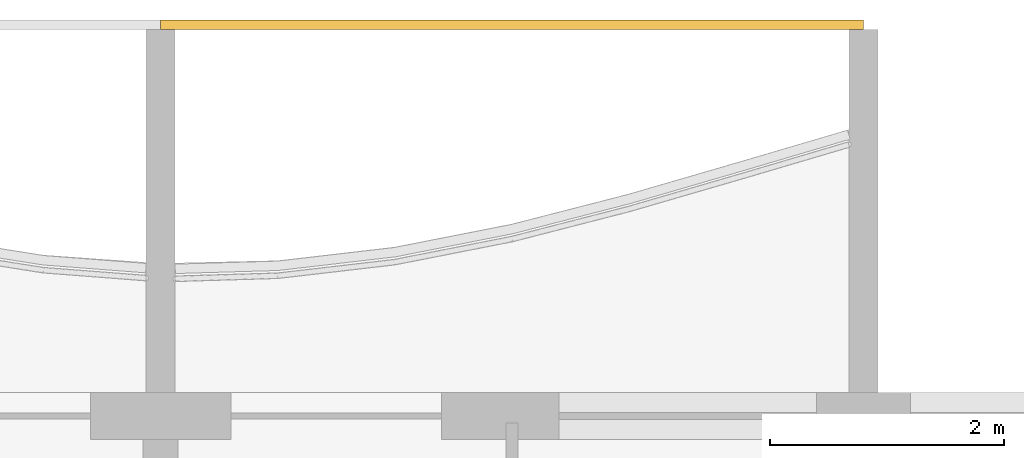
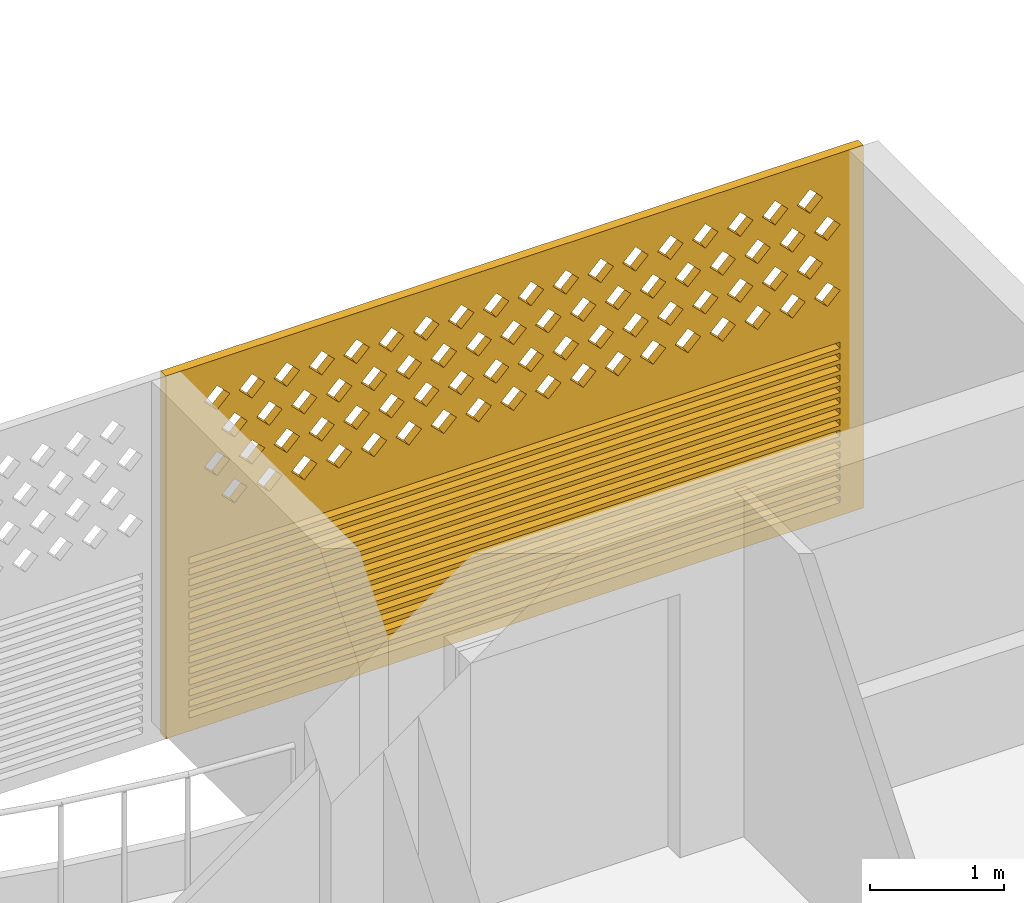
# One storey, part 25 of 33: 1 covering.
"""IFC4 building model written with IfcOpenShell, lengths in metres."""

from ifc_helpers import new_model, si_unit, direction, frame, origin, place, context, subcontext, project, spatial, polyline, outline, extrude, source, transform, mapped, material, material_profile, profile_set, type_object, element, save


model = new_model("IFC4")

# Units and contexts
model_context = context("Model", 3, precision=1e-05, world=origin(), true_north=direction((0.0, 1.0)))
body_context = subcontext(model_context, "Body", "Model", "MODEL_VIEW")
ifc_project = project(units=[si_unit("LENGTHUNIT", "METRE"), si_unit("AREAUNIT", "SQUARE_METRE"), si_unit("VOLUMEUNIT", "CUBIC_METRE"), si_unit("PLANEANGLEUNIT", "RADIAN"), si_unit("MASSUNIT", "GRAM", prefix="KILO")], contexts=[model_context])

# Site, building, storey
site_placement = place(None, origin())
site = spatial("IfcSite", under=ifc_project, at=site_placement, CompositionType="ELEMENT")
building_placement = place(site_placement, origin())
building = spatial("IfcBuilding", under=site, at=building_placement, Name="Poui Terraces", CompositionType="ELEMENT")
storey_placement = place(building_placement, frame((0.0, 0.0, 132.300048828125)))
storey = spatial("IfcBuildingStorey", under=building, at=storey_placement, Name="L36", CompositionType="ELEMENT", Elevation=132.300048828125)

# Covering
ifc_material = material(Name="Terracotta screen", Category="masonry")
ifc_material_profile = material_profile(ifc_material, outline(polyline([(-3.0, -1.64990234375), (3.0, -1.64990234375), (3.0, 1.64990234375), (-3.0, 1.64990234375), (-3.0, -1.64990234375)]), holes=[polyline([(-2.800048828125, 0.39990234375), (-2.68994140625, 0.2900390625), (-2.580078125, 0.39990234375), (-2.68994140625, 0.510009765625), (-2.800048828125, 0.39990234375)]), polyline([(-2.5, 0.39990234375), (-2.389892578125, 0.2900390625), (-2.280029296875, 0.39990234375), (-2.389892578125, 0.510009765625), (-2.5, 0.39990234375)]), polyline([(-2.199951171875, 0.39990234375), (-2.090087890625, 0.2900390625), (-1.97998046875, 0.39990234375), (-2.090087890625, 0.510009765625), (-2.199951171875, 0.39990234375)]), polyline([(-1.89990234375, 0.39990234375), (-1.7900390625, 0.2900390625), (-1.679931640625, 0.39990234375), (-1.7900390625, 0.510009765625), (-1.89990234375, 0.39990234375)]), polyline([(-1.60009765625, 0.39990234375), (-1.489990234375, 0.2900390625), (-1.3798828125, 0.39990234375), (-1.489990234375, 0.510009765625), (-1.60009765625, 0.39990234375)]), polyline([(-1.300048828125, 0.39990234375), (-1.18994140625, 0.2900390625), (-1.080078125, 0.39990234375), (-1.18994140625, 0.510009765625), (-1.300048828125, 0.39990234375)]), polyline([(-1.0, 0.39990234375), (-0.889892578125, 0.2900390625), (-0.780029296875, 0.39990234375), (-0.889892578125, 0.510009765625), (-1.0, 0.39990234375)]), polyline([(-0.699951171875, 0.39990234375), (-0.590087890625, 0.2900390625), (-0.47998046875, 0.39990234375), (-0.590087890625, 0.510009765625), (-0.699951171875, 0.39990234375)]), polyline([(-0.39990234375, 0.39990234375), (-0.2900390625, 0.2900390625), (-0.179931640625, 0.39990234375), (-0.2900390625, 0.510009765625), (-0.39990234375, 0.39990234375)]), polyline([(-0.10009765625, 0.39990234375), (0.010009765625, 0.2900390625), (0.1201171875, 0.39990234375), (0.010009765625, 0.510009765625), (-0.10009765625, 0.39990234375)]), polyline([(0.199951171875, 0.39990234375), (0.31005859375, 0.2900390625), (0.419921875, 0.39990234375), (0.31005859375, 0.510009765625), (0.199951171875, 0.39990234375)]), polyline([(0.5, 0.39990234375), (0.610107421875, 0.2900390625), (0.719970703125, 0.39990234375), (0.610107421875, 0.510009765625), (0.5, 0.39990234375)]), polyline([(0.800048828125, 0.39990234375), (0.909912109375, 0.2900390625), (1.02001953125, 0.39990234375), (0.909912109375, 0.510009765625), (0.800048828125, 0.39990234375)]), polyline([(1.10009765625, 0.39990234375), (1.2099609375, 0.2900390625), (1.320068359375, 0.39990234375), (1.2099609375, 0.510009765625), (1.10009765625, 0.39990234375)]), polyline([(1.39990234375, 0.39990234375), (1.510009765625, 0.2900390625), (1.6201171875, 0.39990234375), (1.510009765625, 0.510009765625), (1.39990234375, 0.39990234375)]), polyline([(1.699951171875, 0.39990234375), (1.81005859375, 0.2900390625), (1.919921875, 0.39990234375), (1.81005859375, 0.510009765625), (1.699951171875, 0.39990234375)]), polyline([(2.0, 0.39990234375), (2.110107421875, 0.2900390625), (2.219970703125, 0.39990234375), (2.110107421875, 0.510009765625), (2.0, 0.39990234375)]), polyline([(2.300048828125, 0.39990234375), (2.409912109375, 0.2900390625), (2.52001953125, 0.39990234375), (2.409912109375, 0.510009765625), (2.300048828125, 0.39990234375)]), polyline([(-2.64990234375, 0.699951171875), (-2.5400390625, 0.590087890625), (-2.429931640625, 0.699951171875), (-2.5400390625, 0.81005859375), (-2.64990234375, 0.699951171875)]), polyline([(-2.35009765625, 0.699951171875), (-2.239990234375, 0.590087890625), (-2.1298828125, 0.699951171875), (-2.239990234375, 0.81005859375), (-2.35009765625, 0.699951171875)]), polyline([(-2.050048828125, 0.699951171875), (-1.93994140625, 0.590087890625), (-1.830078125, 0.699951171875), (-1.93994140625, 0.81005859375), (-2.050048828125, 0.699951171875)]), polyline([(-1.75, 0.699951171875), (-1.639892578125, 0.590087890625), (-1.530029296875, 0.699951171875), (-1.639892578125, 0.81005859375), (-1.75, 0.699951171875)]), polyline([(-1.449951171875, 0.699951171875), (-1.340087890625, 0.590087890625), (-1.22998046875, 0.699951171875), (-1.340087890625, 0.81005859375), (-1.449951171875, 0.699951171875)]), polyline([(-1.14990234375, 0.699951171875), (-1.0400390625, 0.590087890625), (-0.929931640625, 0.699951171875), (-1.0400390625, 0.81005859375), (-1.14990234375, 0.699951171875)]), polyline([(-0.85009765625, 0.699951171875), (-0.739990234375, 0.590087890625), (-0.6298828125, 0.699951171875), (-0.739990234375, 0.81005859375), (-0.85009765625, 0.699951171875)]), polyline([(-0.550048828125, 0.699951171875), (-0.43994140625, 0.590087890625), (-0.330078125, 0.699951171875), (-0.43994140625, 0.81005859375), (-0.550048828125, 0.699951171875)]), polyline([(-0.25, 0.699951171875), (-0.139892578125, 0.590087890625), (-0.030029296875, 0.699951171875), (-0.139892578125, 0.81005859375), (-0.25, 0.699951171875)]), polyline([(0.050048828125, 0.699951171875), (0.159912109375, 0.590087890625), (0.27001953125, 0.699951171875), (0.159912109375, 0.81005859375), (0.050048828125, 0.699951171875)]), polyline([(0.35009765625, 0.699951171875), (0.4599609375, 0.590087890625), (0.570068359375, 0.699951171875), (0.4599609375, 0.81005859375), (0.35009765625, 0.699951171875)]), polyline([(0.64990234375, 0.699951171875), (0.760009765625, 0.590087890625), (0.8701171875, 0.699951171875), (0.760009765625, 0.81005859375), (0.64990234375, 0.699951171875)]), polyline([(0.949951171875, 0.699951171875), (1.06005859375, 0.590087890625), (1.169921875, 0.699951171875), (1.06005859375, 0.81005859375), (0.949951171875, 0.699951171875)]), polyline([(1.25, 0.699951171875), (1.360107421875, 0.590087890625), (1.469970703125, 0.699951171875), (1.360107421875, 0.81005859375), (1.25, 0.699951171875)]), polyline([(1.550048828125, 0.699951171875), (1.659912109375, 0.590087890625), (1.77001953125, 0.699951171875), (1.659912109375, 0.81005859375), (1.550048828125, 0.699951171875)]), polyline([(1.85009765625, 0.699951171875), (1.9599609375, 0.590087890625), (2.070068359375, 0.699951171875), (1.9599609375, 0.81005859375), (1.85009765625, 0.699951171875)]), polyline([(2.14990234375, 0.699951171875), (2.260009765625, 0.590087890625), (2.3701171875, 0.699951171875), (2.260009765625, 0.81005859375), (2.14990234375, 0.699951171875)]), polyline([(2.449951171875, 0.699951171875), (2.56005859375, 0.590087890625), (2.669921875, 0.699951171875), (2.56005859375, 0.81005859375), (2.449951171875, 0.699951171875)]), polyline([(-2.800048828125, 1.0), (-2.68994140625, 0.889892578125), (-2.580078125, 1.0), (-2.68994140625, 1.110107421875), (-2.800048828125, 1.0)]), polyline([(-2.5, 1.0), (-2.389892578125, 0.889892578125), (-2.280029296875, 1.0), (-2.389892578125, 1.110107421875), (-2.5, 1.0)]), polyline([(-2.199951171875, 1.0), (-2.090087890625, 0.889892578125), (-1.97998046875, 1.0), (-2.090087890625, 1.110107421875), (-2.199951171875, 1.0)]), polyline([(-1.89990234375, 1.0), (-1.7900390625, 0.889892578125), (-1.679931640625, 1.0), (-1.7900390625, 1.110107421875), (-1.89990234375, 1.0)]), polyline([(-1.60009765625, 1.0), (-1.489990234375, 0.889892578125), (-1.3798828125, 1.0), (-1.489990234375, 1.110107421875), (-1.60009765625, 1.0)]), polyline([(-1.300048828125, 1.0), (-1.18994140625, 0.889892578125), (-1.080078125, 1.0), (-1.18994140625, 1.110107421875), (-1.300048828125, 1.0)]), polyline([(-1.0, 1.0), (-0.889892578125, 0.889892578125), (-0.780029296875, 1.0), (-0.889892578125, 1.110107421875), (-1.0, 1.0)]), polyline([(-0.699951171875, 1.0), (-0.590087890625, 0.889892578125), (-0.47998046875, 1.0), (-0.590087890625, 1.110107421875), (-0.699951171875, 1.0)]), polyline([(-0.39990234375, 1.0), (-0.2900390625, 0.889892578125), (-0.179931640625, 1.0), (-0.2900390625, 1.110107421875), (-0.39990234375, 1.0)]), polyline([(-0.10009765625, 1.0), (0.010009765625, 0.889892578125), (0.1201171875, 1.0), (0.010009765625, 1.110107421875), (-0.10009765625, 1.0)]), polyline([(0.199951171875, 1.0), (0.31005859375, 0.889892578125), (0.419921875, 1.0), (0.31005859375, 1.110107421875), (0.199951171875, 1.0)]), polyline([(0.5, 1.0), (0.610107421875, 0.889892578125), (0.719970703125, 1.0), (0.610107421875, 1.110107421875), (0.5, 1.0)]), polyline([(0.800048828125, 1.0), (0.909912109375, 0.889892578125), (1.02001953125, 1.0), (0.909912109375, 1.110107421875), (0.800048828125, 1.0)]), polyline([(1.10009765625, 1.0), (1.2099609375, 0.889892578125), (1.320068359375, 1.0), (1.2099609375, 1.110107421875), (1.10009765625, 1.0)]), polyline([(1.39990234375, 1.0), (1.510009765625, 0.889892578125), (1.6201171875, 1.0), (1.510009765625, 1.110107421875), (1.39990234375, 1.0)]), polyline([(1.699951171875, 1.0), (1.81005859375, 0.889892578125), (1.919921875, 1.0), (1.81005859375, 1.110107421875), (1.699951171875, 1.0)]), polyline([(2.0, 1.0), (2.110107421875, 0.889892578125), (2.219970703125, 1.0), (2.110107421875, 1.110107421875), (2.0, 1.0)]), polyline([(2.300048828125, 1.0), (2.409912109375, 0.889892578125), (2.52001953125, 1.0), (2.409912109375, 1.110107421875), (2.300048828125, 1.0)]), polyline([(-2.64990234375, 1.300048828125), (-2.5400390625, 1.18994140625), (-2.429931640625, 1.300048828125), (-2.5400390625, 1.409912109375), (-2.64990234375, 1.300048828125)]), polyline([(-2.35009765625, 1.300048828125), (-2.239990234375, 1.18994140625), (-2.1298828125, 1.300048828125), (-2.239990234375, 1.409912109375), (-2.35009765625, 1.300048828125)]), polyline([(-2.050048828125, 1.300048828125), (-1.93994140625, 1.18994140625), (-1.830078125, 1.300048828125), (-1.93994140625, 1.409912109375), (-2.050048828125, 1.300048828125)]), polyline([(-1.75, 1.300048828125), (-1.639892578125, 1.18994140625), (-1.530029296875, 1.300048828125), (-1.639892578125, 1.409912109375), (-1.75, 1.300048828125)]), polyline([(-1.449951171875, 1.300048828125), (-1.340087890625, 1.18994140625), (-1.22998046875, 1.300048828125), (-1.340087890625, 1.409912109375), (-1.449951171875, 1.300048828125)]), polyline([(-1.14990234375, 1.300048828125), (-1.0400390625, 1.18994140625), (-0.929931640625, 1.300048828125), (-1.0400390625, 1.409912109375), (-1.14990234375, 1.300048828125)]), polyline([(-0.85009765625, 1.300048828125), (-0.739990234375, 1.18994140625), (-0.6298828125, 1.300048828125), (-0.739990234375, 1.409912109375), (-0.85009765625, 1.300048828125)]), polyline([(-0.550048828125, 1.300048828125), (-0.43994140625, 1.18994140625), (-0.330078125, 1.300048828125), (-0.43994140625, 1.409912109375), (-0.550048828125, 1.300048828125)]), polyline([(-0.25, 1.300048828125), (-0.139892578125, 1.18994140625), (-0.030029296875, 1.300048828125), (-0.139892578125, 1.409912109375), (-0.25, 1.300048828125)]), polyline([(0.050048828125, 1.300048828125), (0.159912109375, 1.18994140625), (0.27001953125, 1.300048828125), (0.159912109375, 1.409912109375), (0.050048828125, 1.300048828125)]), polyline([(0.35009765625, 1.300048828125), (0.4599609375, 1.18994140625), (0.570068359375, 1.300048828125), (0.4599609375, 1.409912109375), (0.35009765625, 1.300048828125)]), polyline([(0.64990234375, 1.300048828125), (0.760009765625, 1.18994140625), (0.8701171875, 1.300048828125), (0.760009765625, 1.409912109375), (0.64990234375, 1.300048828125)]), polyline([(0.949951171875, 1.300048828125), (1.06005859375, 1.18994140625), (1.169921875, 1.300048828125), (1.06005859375, 1.409912109375), (0.949951171875, 1.300048828125)]), polyline([(1.25, 1.300048828125), (1.360107421875, 1.18994140625), (1.469970703125, 1.300048828125), (1.360107421875, 1.409912109375), (1.25, 1.300048828125)]), polyline([(1.550048828125, 1.300048828125), (1.659912109375, 1.18994140625), (1.77001953125, 1.300048828125), (1.659912109375, 1.409912109375), (1.550048828125, 1.300048828125)]), polyline([(1.85009765625, 1.300048828125), (1.9599609375, 1.18994140625), (2.070068359375, 1.300048828125), (1.9599609375, 1.409912109375), (1.85009765625, 1.300048828125)]), polyline([(2.14990234375, 1.300048828125), (2.260009765625, 1.18994140625), (2.3701171875, 1.300048828125), (2.260009765625, 1.409912109375), (2.14990234375, 1.300048828125)]), polyline([(2.449951171875, 1.300048828125), (2.56005859375, 1.18994140625), (2.669921875, 1.300048828125), (2.56005859375, 1.409912109375), (2.449951171875, 1.300048828125)]), polyline([(-2.800048828125, -1.530029296875), (2.800048828125, -1.530029296875), (2.800048828125, -1.469970703125), (-2.800048828125, -1.469970703125), (-2.800048828125, -1.530029296875)]), polyline([(-2.800048828125, -1.429931640625), (2.800048828125, -1.429931640625), (2.800048828125, -1.3701171875), (-2.800048828125, -1.3701171875), (-2.800048828125, -1.429931640625)]), polyline([(-2.800048828125, -1.330078125), (2.800048828125, -1.330078125), (2.800048828125, -1.27001953125), (-2.800048828125, -1.27001953125), (-2.800048828125, -1.330078125)]), polyline([(-2.800048828125, -1.22998046875), (2.800048828125, -1.22998046875), (2.800048828125, -1.169921875), (-2.800048828125, -1.169921875), (-2.800048828125, -1.22998046875)]), polyline([(-2.800048828125, -1.1298828125), (2.800048828125, -1.1298828125), (2.800048828125, -1.070068359375), (-2.800048828125, -1.070068359375), (-2.800048828125, -1.1298828125)]), polyline([(-2.800048828125, -1.030029296875), (2.800048828125, -1.030029296875), (2.800048828125, -0.969970703125), (-2.800048828125, -0.969970703125), (-2.800048828125, -1.030029296875)]), polyline([(-2.800048828125, -0.929931640625), (2.800048828125, -0.929931640625), (2.800048828125, -0.8701171875), (-2.800048828125, -0.8701171875), (-2.800048828125, -0.929931640625)]), polyline([(-2.800048828125, -0.830078125), (2.800048828125, -0.830078125), (2.800048828125, -0.77001953125), (-2.800048828125, -0.77001953125), (-2.800048828125, -0.830078125)]), polyline([(-2.800048828125, -0.72998046875), (2.800048828125, -0.72998046875), (2.800048828125, -0.669921875), (-2.800048828125, -0.669921875), (-2.800048828125, -0.72998046875)]), polyline([(-2.800048828125, -0.6298828125), (2.800048828125, -0.6298828125), (2.800048828125, -0.570068359375), (-2.800048828125, -0.570068359375), (-2.800048828125, -0.6298828125)]), polyline([(-2.800048828125, -0.530029296875), (2.800048828125, -0.530029296875), (2.800048828125, -0.469970703125), (-2.800048828125, -0.469970703125), (-2.800048828125, -0.530029296875)]), polyline([(-2.800048828125, -0.429931640625), (2.800048828125, -0.429931640625), (2.800048828125, -0.3701171875), (-2.800048828125, -0.3701171875), (-2.800048828125, -0.429931640625)]), polyline([(-2.800048828125, -0.330078125), (2.800048828125, -0.330078125), (2.800048828125, -0.27001953125), (-2.800048828125, -0.27001953125), (-2.800048828125, -0.330078125)]), polyline([(-2.800048828125, -0.22998046875), (2.800048828125, -0.22998046875), (2.800048828125, -0.169921875), (-2.800048828125, -0.169921875), (-2.800048828125, -0.22998046875)]), polyline([(-2.800048828125, -0.1298828125), (2.800048828125, -0.1298828125), (2.800048828125, -0.070068359375), (-2.800048828125, -0.070068359375), (-2.800048828125, -0.1298828125)])]), Name="TERRACOTTA SCREEN AND JALOUSIE LOUVRE 6000X3300")
ifc_profile_set = profile_set([ifc_material_profile], Name="Terracotta screen")
covering_type = type_object("IfcCoveringType", Name="TERRACOTTA SCREEN AND JALOUSIE LOUVRE 6000X3300", PredefinedType="CLADDING", material=ifc_profile_set)
shared_shape = source(origin(), body_context, "Body", "SweptSolid", [
    extrude(outline(polyline([(-3.0, -1.64990234375), (3.0, -1.64990234375), (3.0, 1.64990234375), (-3.0, 1.64990234375), (-3.0, -1.64990234375)]), holes=[polyline([(-2.800048828125, 0.39990234375), (-2.68994140625, 0.2900390625), (-2.580078125, 0.39990234375), (-2.68994140625, 0.510009765625), (-2.800048828125, 0.39990234375)]), polyline([(-2.5, 0.39990234375), (-2.389892578125, 0.2900390625), (-2.280029296875, 0.39990234375), (-2.389892578125, 0.510009765625), (-2.5, 0.39990234375)]), polyline([(-2.199951171875, 0.39990234375), (-2.090087890625, 0.2900390625), (-1.97998046875, 0.39990234375), (-2.090087890625, 0.510009765625), (-2.199951171875, 0.39990234375)]), polyline([(-1.89990234375, 0.39990234375), (-1.7900390625, 0.2900390625), (-1.679931640625, 0.39990234375), (-1.7900390625, 0.510009765625), (-1.89990234375, 0.39990234375)]), polyline([(-1.60009765625, 0.39990234375), (-1.489990234375, 0.2900390625), (-1.3798828125, 0.39990234375), (-1.489990234375, 0.510009765625), (-1.60009765625, 0.39990234375)]), polyline([(-1.300048828125, 0.39990234375), (-1.18994140625, 0.2900390625), (-1.080078125, 0.39990234375), (-1.18994140625, 0.510009765625), (-1.300048828125, 0.39990234375)]), polyline([(-1.0, 0.39990234375), (-0.889892578125, 0.2900390625), (-0.780029296875, 0.39990234375), (-0.889892578125, 0.510009765625), (-1.0, 0.39990234375)]), polyline([(-0.699951171875, 0.39990234375), (-0.590087890625, 0.2900390625), (-0.47998046875, 0.39990234375), (-0.590087890625, 0.510009765625), (-0.699951171875, 0.39990234375)]), polyline([(-0.39990234375, 0.39990234375), (-0.2900390625, 0.2900390625), (-0.179931640625, 0.39990234375), (-0.2900390625, 0.510009765625), (-0.39990234375, 0.39990234375)]), polyline([(-0.10009765625, 0.39990234375), (0.010009765625, 0.2900390625), (0.1201171875, 0.39990234375), (0.010009765625, 0.510009765625), (-0.10009765625, 0.39990234375)]), polyline([(0.199951171875, 0.39990234375), (0.31005859375, 0.2900390625), (0.419921875, 0.39990234375), (0.31005859375, 0.510009765625), (0.199951171875, 0.39990234375)]), polyline([(0.5, 0.39990234375), (0.610107421875, 0.2900390625), (0.719970703125, 0.39990234375), (0.610107421875, 0.510009765625), (0.5, 0.39990234375)]), polyline([(0.800048828125, 0.39990234375), (0.909912109375, 0.2900390625), (1.02001953125, 0.39990234375), (0.909912109375, 0.510009765625), (0.800048828125, 0.39990234375)]), polyline([(1.10009765625, 0.39990234375), (1.2099609375, 0.2900390625), (1.320068359375, 0.39990234375), (1.2099609375, 0.510009765625), (1.10009765625, 0.39990234375)]), polyline([(1.39990234375, 0.39990234375), (1.510009765625, 0.2900390625), (1.6201171875, 0.39990234375), (1.510009765625, 0.510009765625), (1.39990234375, 0.39990234375)]), polyline([(1.699951171875, 0.39990234375), (1.81005859375, 0.2900390625), (1.919921875, 0.39990234375), (1.81005859375, 0.510009765625), (1.699951171875, 0.39990234375)]), polyline([(2.0, 0.39990234375), (2.110107421875, 0.2900390625), (2.219970703125, 0.39990234375), (2.110107421875, 0.510009765625), (2.0, 0.39990234375)]), polyline([(2.300048828125, 0.39990234375), (2.409912109375, 0.2900390625), (2.52001953125, 0.39990234375), (2.409912109375, 0.510009765625), (2.300048828125, 0.39990234375)]), polyline([(-2.64990234375, 0.699951171875), (-2.5400390625, 0.590087890625), (-2.429931640625, 0.699951171875), (-2.5400390625, 0.81005859375), (-2.64990234375, 0.699951171875)]), polyline([(-2.35009765625, 0.699951171875), (-2.239990234375, 0.590087890625), (-2.1298828125, 0.699951171875), (-2.239990234375, 0.81005859375), (-2.35009765625, 0.699951171875)]), polyline([(-2.050048828125, 0.699951171875), (-1.93994140625, 0.590087890625), (-1.830078125, 0.699951171875), (-1.93994140625, 0.81005859375), (-2.050048828125, 0.699951171875)]), polyline([(-1.75, 0.699951171875), (-1.639892578125, 0.590087890625), (-1.530029296875, 0.699951171875), (-1.639892578125, 0.81005859375), (-1.75, 0.699951171875)]), polyline([(-1.449951171875, 0.699951171875), (-1.340087890625, 0.590087890625), (-1.22998046875, 0.699951171875), (-1.340087890625, 0.81005859375), (-1.449951171875, 0.699951171875)]), polyline([(-1.14990234375, 0.699951171875), (-1.0400390625, 0.590087890625), (-0.929931640625, 0.699951171875), (-1.0400390625, 0.81005859375), (-1.14990234375, 0.699951171875)]), polyline([(-0.85009765625, 0.699951171875), (-0.739990234375, 0.590087890625), (-0.6298828125, 0.699951171875), (-0.739990234375, 0.81005859375), (-0.85009765625, 0.699951171875)]), polyline([(-0.550048828125, 0.699951171875), (-0.43994140625, 0.590087890625), (-0.330078125, 0.699951171875), (-0.43994140625, 0.81005859375), (-0.550048828125, 0.699951171875)]), polyline([(-0.25, 0.699951171875), (-0.139892578125, 0.590087890625), (-0.030029296875, 0.699951171875), (-0.139892578125, 0.81005859375), (-0.25, 0.699951171875)]), polyline([(0.050048828125, 0.699951171875), (0.159912109375, 0.590087890625), (0.27001953125, 0.699951171875), (0.159912109375, 0.81005859375), (0.050048828125, 0.699951171875)]), polyline([(0.35009765625, 0.699951171875), (0.4599609375, 0.590087890625), (0.570068359375, 0.699951171875), (0.4599609375, 0.81005859375), (0.35009765625, 0.699951171875)]), polyline([(0.64990234375, 0.699951171875), (0.760009765625, 0.590087890625), (0.8701171875, 0.699951171875), (0.760009765625, 0.81005859375), (0.64990234375, 0.699951171875)]), polyline([(0.949951171875, 0.699951171875), (1.06005859375, 0.590087890625), (1.169921875, 0.699951171875), (1.06005859375, 0.81005859375), (0.949951171875, 0.699951171875)]), polyline([(1.25, 0.699951171875), (1.360107421875, 0.590087890625), (1.469970703125, 0.699951171875), (1.360107421875, 0.81005859375), (1.25, 0.699951171875)]), polyline([(1.550048828125, 0.699951171875), (1.659912109375, 0.590087890625), (1.77001953125, 0.699951171875), (1.659912109375, 0.81005859375), (1.550048828125, 0.699951171875)]), polyline([(1.85009765625, 0.699951171875), (1.9599609375, 0.590087890625), (2.070068359375, 0.699951171875), (1.9599609375, 0.81005859375), (1.85009765625, 0.699951171875)]), polyline([(2.14990234375, 0.699951171875), (2.260009765625, 0.590087890625), (2.3701171875, 0.699951171875), (2.260009765625, 0.81005859375), (2.14990234375, 0.699951171875)]), polyline([(2.449951171875, 0.699951171875), (2.56005859375, 0.590087890625), (2.669921875, 0.699951171875), (2.56005859375, 0.81005859375), (2.449951171875, 0.699951171875)]), polyline([(-2.800048828125, 1.0), (-2.68994140625, 0.889892578125), (-2.580078125, 1.0), (-2.68994140625, 1.110107421875), (-2.800048828125, 1.0)]), polyline([(-2.5, 1.0), (-2.389892578125, 0.889892578125), (-2.280029296875, 1.0), (-2.389892578125, 1.110107421875), (-2.5, 1.0)]), polyline([(-2.199951171875, 1.0), (-2.090087890625, 0.889892578125), (-1.97998046875, 1.0), (-2.090087890625, 1.110107421875), (-2.199951171875, 1.0)]), polyline([(-1.89990234375, 1.0), (-1.7900390625, 0.889892578125), (-1.679931640625, 1.0), (-1.7900390625, 1.110107421875), (-1.89990234375, 1.0)]), polyline([(-1.60009765625, 1.0), (-1.489990234375, 0.889892578125), (-1.3798828125, 1.0), (-1.489990234375, 1.110107421875), (-1.60009765625, 1.0)]), polyline([(-1.300048828125, 1.0), (-1.18994140625, 0.889892578125), (-1.080078125, 1.0), (-1.18994140625, 1.110107421875), (-1.300048828125, 1.0)]), polyline([(-1.0, 1.0), (-0.889892578125, 0.889892578125), (-0.780029296875, 1.0), (-0.889892578125, 1.110107421875), (-1.0, 1.0)]), polyline([(-0.699951171875, 1.0), (-0.590087890625, 0.889892578125), (-0.47998046875, 1.0), (-0.590087890625, 1.110107421875), (-0.699951171875, 1.0)]), polyline([(-0.39990234375, 1.0), (-0.2900390625, 0.889892578125), (-0.179931640625, 1.0), (-0.2900390625, 1.110107421875), (-0.39990234375, 1.0)]), polyline([(-0.10009765625, 1.0), (0.010009765625, 0.889892578125), (0.1201171875, 1.0), (0.010009765625, 1.110107421875), (-0.10009765625, 1.0)]), polyline([(0.199951171875, 1.0), (0.31005859375, 0.889892578125), (0.419921875, 1.0), (0.31005859375, 1.110107421875), (0.199951171875, 1.0)]), polyline([(0.5, 1.0), (0.610107421875, 0.889892578125), (0.719970703125, 1.0), (0.610107421875, 1.110107421875), (0.5, 1.0)]), polyline([(0.800048828125, 1.0), (0.909912109375, 0.889892578125), (1.02001953125, 1.0), (0.909912109375, 1.110107421875), (0.800048828125, 1.0)]), polyline([(1.10009765625, 1.0), (1.2099609375, 0.889892578125), (1.320068359375, 1.0), (1.2099609375, 1.110107421875), (1.10009765625, 1.0)]), polyline([(1.39990234375, 1.0), (1.510009765625, 0.889892578125), (1.6201171875, 1.0), (1.510009765625, 1.110107421875), (1.39990234375, 1.0)]), polyline([(1.699951171875, 1.0), (1.81005859375, 0.889892578125), (1.919921875, 1.0), (1.81005859375, 1.110107421875), (1.699951171875, 1.0)]), polyline([(2.0, 1.0), (2.110107421875, 0.889892578125), (2.219970703125, 1.0), (2.110107421875, 1.110107421875), (2.0, 1.0)]), polyline([(2.300048828125, 1.0), (2.409912109375, 0.889892578125), (2.52001953125, 1.0), (2.409912109375, 1.110107421875), (2.300048828125, 1.0)]), polyline([(-2.64990234375, 1.300048828125), (-2.5400390625, 1.18994140625), (-2.429931640625, 1.300048828125), (-2.5400390625, 1.409912109375), (-2.64990234375, 1.300048828125)]), polyline([(-2.35009765625, 1.300048828125), (-2.239990234375, 1.18994140625), (-2.1298828125, 1.300048828125), (-2.239990234375, 1.409912109375), (-2.35009765625, 1.300048828125)]), polyline([(-2.050048828125, 1.300048828125), (-1.93994140625, 1.18994140625), (-1.830078125, 1.300048828125), (-1.93994140625, 1.409912109375), (-2.050048828125, 1.300048828125)]), polyline([(-1.75, 1.300048828125), (-1.639892578125, 1.18994140625), (-1.530029296875, 1.300048828125), (-1.639892578125, 1.409912109375), (-1.75, 1.300048828125)]), polyline([(-1.449951171875, 1.300048828125), (-1.340087890625, 1.18994140625), (-1.22998046875, 1.300048828125), (-1.340087890625, 1.409912109375), (-1.449951171875, 1.300048828125)]), polyline([(-1.14990234375, 1.300048828125), (-1.0400390625, 1.18994140625), (-0.929931640625, 1.300048828125), (-1.0400390625, 1.409912109375), (-1.14990234375, 1.300048828125)]), polyline([(-0.85009765625, 1.300048828125), (-0.739990234375, 1.18994140625), (-0.6298828125, 1.300048828125), (-0.739990234375, 1.409912109375), (-0.85009765625, 1.300048828125)]), polyline([(-0.550048828125, 1.300048828125), (-0.43994140625, 1.18994140625), (-0.330078125, 1.300048828125), (-0.43994140625, 1.409912109375), (-0.550048828125, 1.300048828125)]), polyline([(-0.25, 1.300048828125), (-0.139892578125, 1.18994140625), (-0.030029296875, 1.300048828125), (-0.139892578125, 1.409912109375), (-0.25, 1.300048828125)]), polyline([(0.050048828125, 1.300048828125), (0.159912109375, 1.18994140625), (0.27001953125, 1.300048828125), (0.159912109375, 1.409912109375), (0.050048828125, 1.300048828125)]), polyline([(0.35009765625, 1.300048828125), (0.4599609375, 1.18994140625), (0.570068359375, 1.300048828125), (0.4599609375, 1.409912109375), (0.35009765625, 1.300048828125)]), polyline([(0.64990234375, 1.300048828125), (0.760009765625, 1.18994140625), (0.8701171875, 1.300048828125), (0.760009765625, 1.409912109375), (0.64990234375, 1.300048828125)]), polyline([(0.949951171875, 1.300048828125), (1.06005859375, 1.18994140625), (1.169921875, 1.300048828125), (1.06005859375, 1.409912109375), (0.949951171875, 1.300048828125)]), polyline([(1.25, 1.300048828125), (1.360107421875, 1.18994140625), (1.469970703125, 1.300048828125), (1.360107421875, 1.409912109375), (1.25, 1.300048828125)]), polyline([(1.550048828125, 1.300048828125), (1.659912109375, 1.18994140625), (1.77001953125, 1.300048828125), (1.659912109375, 1.409912109375), (1.550048828125, 1.300048828125)]), polyline([(1.85009765625, 1.300048828125), (1.9599609375, 1.18994140625), (2.070068359375, 1.300048828125), (1.9599609375, 1.409912109375), (1.85009765625, 1.300048828125)]), polyline([(2.14990234375, 1.300048828125), (2.260009765625, 1.18994140625), (2.3701171875, 1.300048828125), (2.260009765625, 1.409912109375), (2.14990234375, 1.300048828125)]), polyline([(2.449951171875, 1.300048828125), (2.56005859375, 1.18994140625), (2.669921875, 1.300048828125), (2.56005859375, 1.409912109375), (2.449951171875, 1.300048828125)]), polyline([(-2.800048828125, -1.530029296875), (2.800048828125, -1.530029296875), (2.800048828125, -1.469970703125), (-2.800048828125, -1.469970703125), (-2.800048828125, -1.530029296875)]), polyline([(-2.800048828125, -1.429931640625), (2.800048828125, -1.429931640625), (2.800048828125, -1.3701171875), (-2.800048828125, -1.3701171875), (-2.800048828125, -1.429931640625)]), polyline([(-2.800048828125, -1.330078125), (2.800048828125, -1.330078125), (2.800048828125, -1.27001953125), (-2.800048828125, -1.27001953125), (-2.800048828125, -1.330078125)]), polyline([(-2.800048828125, -1.22998046875), (2.800048828125, -1.22998046875), (2.800048828125, -1.169921875), (-2.800048828125, -1.169921875), (-2.800048828125, -1.22998046875)]), polyline([(-2.800048828125, -1.1298828125), (2.800048828125, -1.1298828125), (2.800048828125, -1.070068359375), (-2.800048828125, -1.070068359375), (-2.800048828125, -1.1298828125)]), polyline([(-2.800048828125, -1.030029296875), (2.800048828125, -1.030029296875), (2.800048828125, -0.969970703125), (-2.800048828125, -0.969970703125), (-2.800048828125, -1.030029296875)]), polyline([(-2.800048828125, -0.929931640625), (2.800048828125, -0.929931640625), (2.800048828125, -0.8701171875), (-2.800048828125, -0.8701171875), (-2.800048828125, -0.929931640625)]), polyline([(-2.800048828125, -0.830078125), (2.800048828125, -0.830078125), (2.800048828125, -0.77001953125), (-2.800048828125, -0.77001953125), (-2.800048828125, -0.830078125)]), polyline([(-2.800048828125, -0.72998046875), (2.800048828125, -0.72998046875), (2.800048828125, -0.669921875), (-2.800048828125, -0.669921875), (-2.800048828125, -0.72998046875)]), polyline([(-2.800048828125, -0.6298828125), (2.800048828125, -0.6298828125), (2.800048828125, -0.570068359375), (-2.800048828125, -0.570068359375), (-2.800048828125, -0.6298828125)]), polyline([(-2.800048828125, -0.530029296875), (2.800048828125, -0.530029296875), (2.800048828125, -0.469970703125), (-2.800048828125, -0.469970703125), (-2.800048828125, -0.530029296875)]), polyline([(-2.800048828125, -0.429931640625), (2.800048828125, -0.429931640625), (2.800048828125, -0.3701171875), (-2.800048828125, -0.3701171875), (-2.800048828125, -0.429931640625)]), polyline([(-2.800048828125, -0.330078125), (2.800048828125, -0.330078125), (2.800048828125, -0.27001953125), (-2.800048828125, -0.27001953125), (-2.800048828125, -0.330078125)]), polyline([(-2.800048828125, -0.22998046875), (2.800048828125, -0.22998046875), (2.800048828125, -0.169921875), (-2.800048828125, -0.169921875), (-2.800048828125, -0.22998046875)]), polyline([(-2.800048828125, -0.1298828125), (2.800048828125, -0.1298828125), (2.800048828125, -0.070068359375), (-2.800048828125, -0.070068359375), (-2.800048828125, -0.1298828125)])]), origin(), (0.0, 0.0, 1.0), 0.080078125),
])
covering_placement = place(storey_placement, frame((45.0, 45.699951171875, 1.449951171875), z_axis=(0.0, 1.0, 0.0), x_axis=(-1.0, 0.0, 0.0)))
element("IfcCovering", 1, at=covering_placement, inside=storey, type_object=covering_type, Name="SOLAR SCREEN AND JALOUSIE LOUVRE", PredefinedType="CLADDING", context=body_context, shape_type="MappedRepresentation", body=[
    mapped(shared_shape, transform((0.0, 0.0, 0.0))),
])

save(model, "model.ifc")
